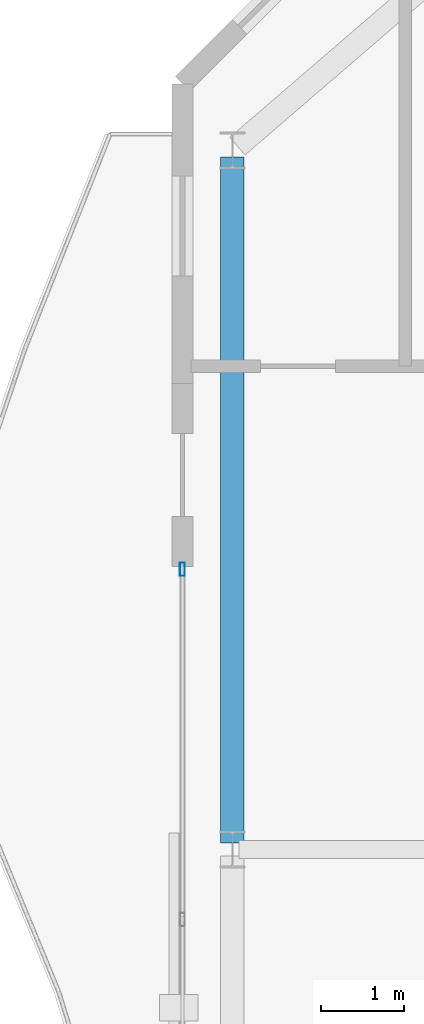
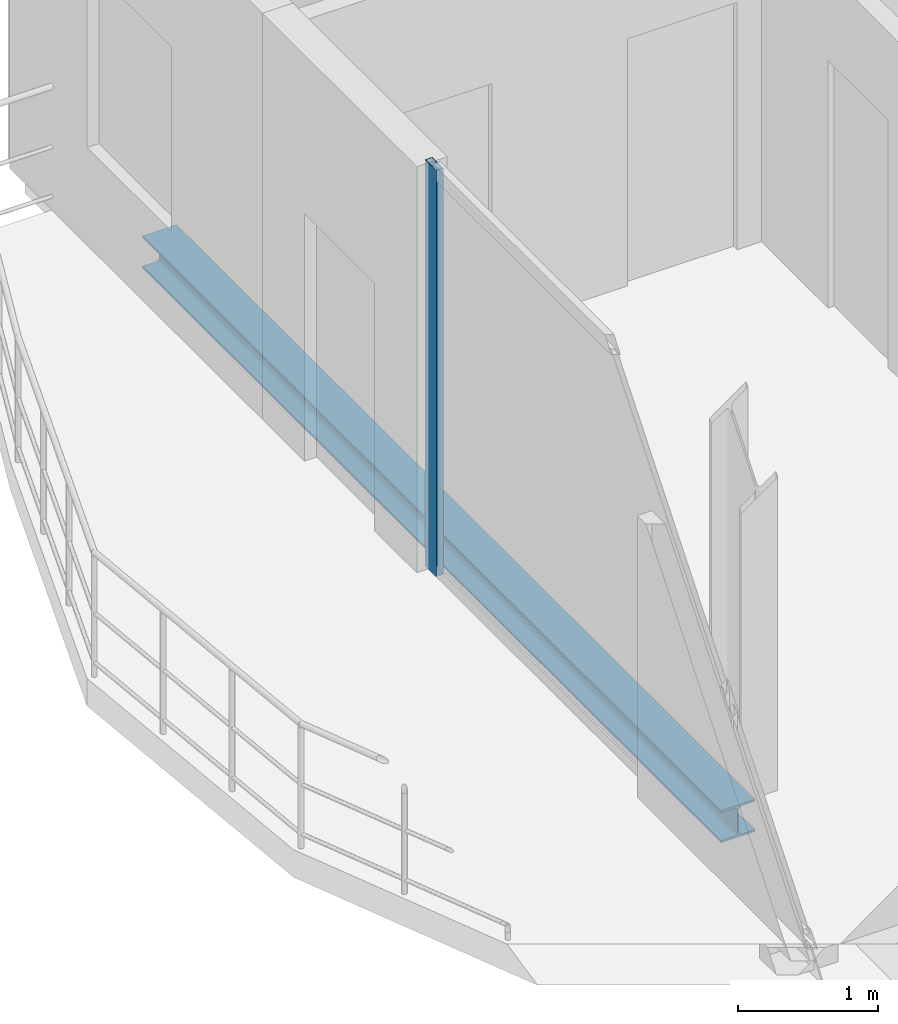
# One storey, part 12 of 22: 1 beam, 1 member, 1 element without a shape of its own.
"""IFC4 building model written with IfcOpenShell, lengths in metres."""

from ifc_helpers import new_model, si_unit, direction, frame, origin, origin_2d, place, context, subcontext, project, spatial, hollow_rectangle, i_section, extrude, material, layer, layer_set, material_profile, profile_set, type_object, element, aggregate, save


model = new_model("IFC4")

# Units and contexts
model_context = context("Model", 3, precision=1e-05, world=origin(), true_north=direction((0.0, 1.0)))
body_context = subcontext(model_context, "Body", "Model", "MODEL_VIEW")
ifc_project = project(units=[si_unit("LENGTHUNIT", "METRE"), si_unit("AREAUNIT", "SQUARE_METRE"), si_unit("VOLUMEUNIT", "CUBIC_METRE"), si_unit("PLANEANGLEUNIT", "RADIAN"), si_unit("MASSUNIT", "GRAM", prefix="KILO")], contexts=[model_context])

# Site, building, storey
site_placement = place(None, origin())
site = spatial("IfcSite", under=ifc_project, at=site_placement, CompositionType="ELEMENT")
building_placement = place(site_placement, origin())
building = spatial("IfcBuilding", under=site, at=building_placement, Name="Catumbela Crestline Tower", CompositionType="ELEMENT")
storey_placement = place(building_placement, frame((0.0, 0.0, 218.4)))
storey = spatial("IfcBuildingStorey", under=building, at=storey_placement, Name="L56", CompositionType="ELEMENT", Elevation=218.4)

# Curtain wall, member
ifc_material_1 = material(Name="Aluminium alloy AW-6060-T66", Category="aluminium")
ifc_layer = layer(ifc_material_1, 0.18, Name="Aluminium alloy AW-6060-T66")
ifc_layer_set = layer_set([ifc_layer], Name="Aluminium alloy AW-6060-T66")
curtain_wall_type = type_object("IfcCurtainWallType", Name="CWU-Z4", PredefinedType="USERDEFINED", material=ifc_layer_set)
curtain_wall_placement = place(storey_placement, origin())
curtain_wall = element("IfcCurtainWall", 1, at=curtain_wall_placement, inside=storey, type_object=curtain_wall_type, Name="L56 Unitised Curtain Wall CW-L56-E9S2", ObjectType="UNITISED", PredefinedType="USERDEFINED")
ifc_material_profile_1 = material_profile(ifc_material_1, hollow_rectangle(XDim=0.06, YDim=0.16, WallThickness=0.004, at=origin_2d()), Name="ALU 160x60x4")
ifc_profile_set_1 = profile_set([ifc_material_profile_1], Name="Aluminium alloy AW-6060-T66")
member_type = type_object("IfcMemberType", Name="MUL-160X60", PredefinedType="MULLION", material=ifc_profile_set_1)
member_placement = place(storey_placement, frame((5.0, 34.1675, 0.0), z_axis=(0.0, 0.0, 1.0), x_axis=(1.0, 0.0, 0.0)))
member = element("IfcMember", 2, at=member_placement, type_object=member_type, Name="CWU-Z4 mullion 1", PredefinedType="MULLION", context=body_context, shape_type="SweptSolid", body=[
    extrude(hollow_rectangle(XDim=0.06, YDim=0.16, WallThickness=0.004, at=origin_2d()), origin(), (0.0, 0.0, 1.0), 3.53),
])
aggregate(curtain_wall, [member])

# Beam
ifc_material_2 = material(Name="Structural steel S355J2", Category="steel")
ifc_material_profile_2 = material_profile(ifc_material_2, i_section(OverallWidth=0.28, OverallDepth=0.28, WebThickness=0.0105, FlangeThickness=0.018, FilletRadius=0.024, at=origin_2d()), Name="HEB 280")
ifc_profile_set_2 = profile_set([ifc_material_profile_2], Name="Structural steel S355J2")
beam_type = type_object("IfcBeamType", Name="BS-HEB280", PredefinedType="SPANDREL", material=ifc_profile_set_2)
beam_placement = place(storey_placement, frame((5.6, 30.88, -0.4), z_axis=(0.0, 1.0, 0.0), x_axis=(-1.0, 0.0, 0.0)))
element("IfcBeam", 3, at=beam_placement, inside=storey, type_object=beam_type, Name="L56 Spandrel SP-L56-SN13", PredefinedType="SPANDREL", context=body_context, shape_type="SweptSolid", body=[
    extrude(i_section(OverallWidth=0.28, OverallDepth=0.28, WebThickness=0.0105, FlangeThickness=0.018, FilletRadius=0.024, at=origin_2d()), origin(), (0.0, 0.0, 1.0), 8.24),
])

save(model, "model.ifc")
